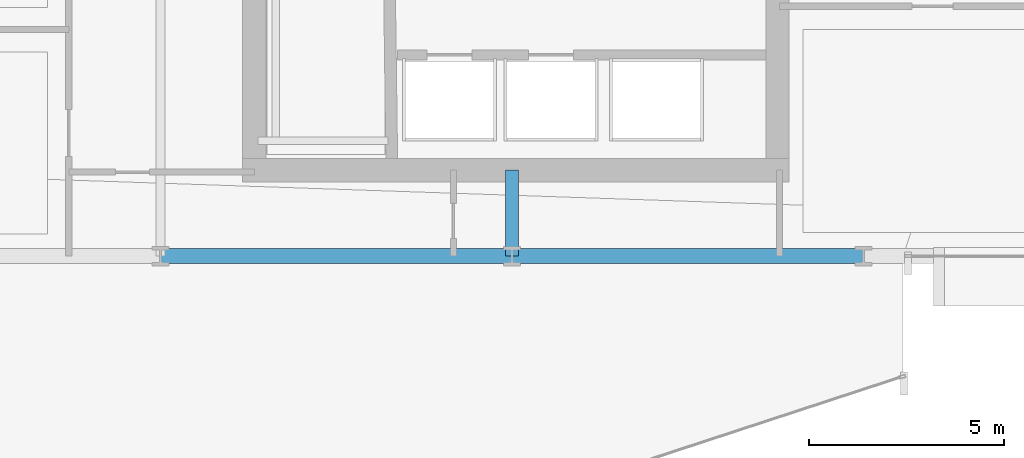
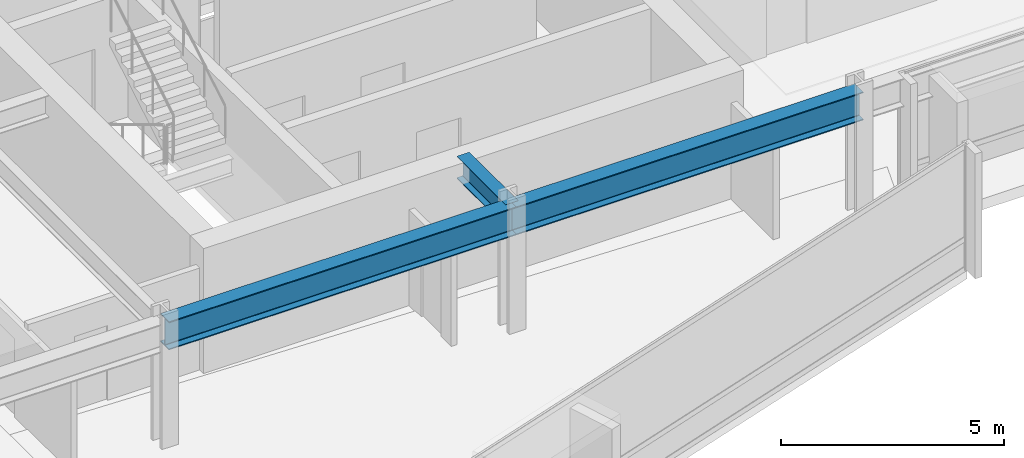
# One storey, part 11 of 34: 3 beams.
"""IFC4 building model written with IfcOpenShell, lengths in metres."""

from ifc_helpers import new_model, si_unit, direction, frame, origin, origin_2d, place, context, subcontext, project, spatial, i_section, extrude, material, material_profile, profile_set, type_object, element, save


model = new_model("IFC4")

# Units and contexts
model_context = context("Model", 3, precision=1e-05, world=origin(), true_north=direction((0.0, 1.0)))
body_context = subcontext(model_context, "Body", "Model", "MODEL_VIEW")
ifc_project = project(units=[si_unit("LENGTHUNIT", "METRE"), si_unit("AREAUNIT", "SQUARE_METRE"), si_unit("VOLUMEUNIT", "CUBIC_METRE"), si_unit("PLANEANGLEUNIT", "RADIAN"), si_unit("MASSUNIT", "GRAM", prefix="KILO")], contexts=[model_context])

# Site, building, storey
site_placement = place(None, origin())
site = spatial("IfcSite", under=ifc_project, at=site_placement, CompositionType="ELEMENT")
building_placement = place(site_placement, origin())
building = spatial("IfcBuilding", under=site, at=building_placement, Name="Solvaryn Broadcast Tower", CompositionType="ELEMENT")
storey_placement = place(building_placement, frame((0.0, 0.0, 39.699951171875)))
storey = spatial("IfcBuildingStorey", under=building, at=storey_placement, Name="L08", CompositionType="ELEMENT", Elevation=39.699951171875)

# Beams
ifc_material_1 = material(Name="Steel ASTM A992 Grade 50", Category="steel")
ifc_material_profile_1 = material_profile(ifc_material_1, i_section(OverallWidth=0.323974609375, OverallDepth=0.611083984375, WebThickness=0.0126953125, FlangeThickness=0.01904296875, FilletRadius=0.014892578125, at=origin_2d()))
ifc_profile_set_1 = profile_set([ifc_material_profile_1], Name="Steel ASTM A992 Grade 50")
beam_type_1 = type_object("IfcBeamType", Name="BM-B1-W24X104", PredefinedType="BEAM", material=ifc_profile_set_1)
beam_placement = place(storey_placement, frame((36.0, 9.0, 3.114501953125), z_axis=(0.0, 1.0, 0.0), x_axis=(-1.0, 0.0, 0.0)))
element("IfcBeam", 1, at=beam_placement, inside=storey, type_object=beam_type_1, Name="L08 Core Tie Beam CTE1", PredefinedType="BEAM", context=body_context, shape_type="SweptSolid", body=[
    extrude(i_section(OverallWidth=0.323974609375, OverallDepth=0.611083984375, WebThickness=0.0126953125, FlangeThickness=0.01904296875, FilletRadius=0.014892578125, at=origin_2d()), origin(), (0.0, 0.0, 1.0), 2.199951171875),
])
ifc_material_2 = material(Name="Steel ASTM A992 Grade 50", Category="steel")
ifc_material_profile_2 = material_profile(ifc_material_2, i_section(OverallWidth=0.381103515625, OverallDepth=0.77294921875, WebThickness=0.0166015625, FlangeThickness=0.027099609375, FilletRadius=0.01806640625, at=origin_2d()))
ifc_profile_set_2 = profile_set([ifc_material_profile_2], Name="Steel ASTM A992 Grade 50")
beam_type_2 = type_object("IfcBeamType", Name="BM-SP1-W30X173", PredefinedType="USERDEFINED", material=ifc_profile_set_2)
for number, where, z_axis, x_axis, name in (
    (2, (27.0, 9.0, 3.033447265625), (1.0, 0.0, 0.0), (0.0, 1.0, 0.0), "L08 Spandrel Beam X (27-36 @ Y=9)"),
    (3, (36.0, 9.0, 3.033447265625), (1.0, 0.0, 0.0), (0.0, 1.0, 0.0), "L08 Spandrel Beam X (36-45 @ Y=9)"),
):
    element("IfcBeam", number, at=place(storey_placement, frame(where, z_axis=z_axis, x_axis=x_axis)), inside=storey, type_object=beam_type_2, Name=name, ObjectType="SPANDREL", PredefinedType="USERDEFINED", context=body_context, shape_type="SweptSolid", body=[
        extrude(i_section(OverallWidth=0.381103515625, OverallDepth=0.77294921875, WebThickness=0.0166015625, FlangeThickness=0.027099609375, FilletRadius=0.01806640625, at=origin_2d()), origin(), (0.0, 0.0, 1.0), 9.0),
    ])

save(model, "model.ifc")
